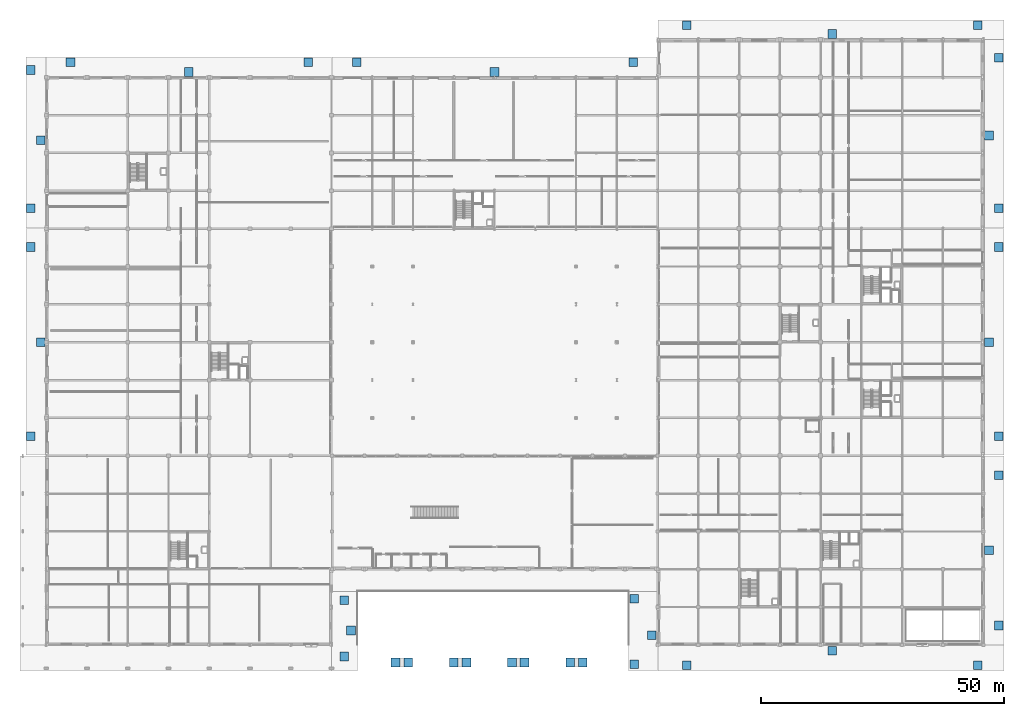
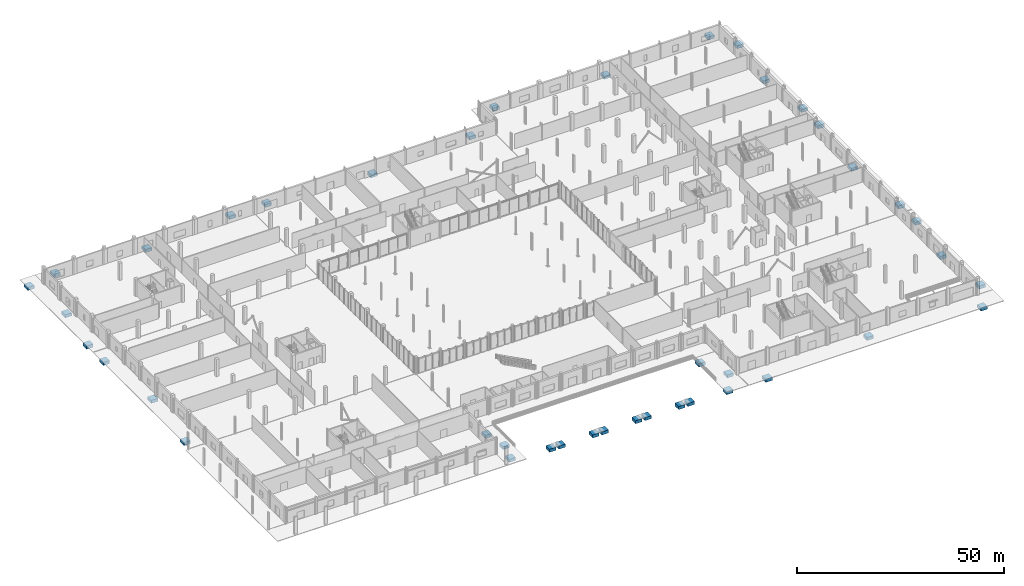
# One storey, part 1 of 80: 41 footings.
"""IFC4 building model written with IfcOpenShell, lengths in metres."""

from ifc_helpers import new_model, si_unit, direction, frame, origin, place, context, subcontext, project, spatial, polyline, outline, extrude, material, type_object, element, save


model = new_model("IFC4")

# Units and contexts
model_context = context("Model", 3, precision=1e-05, world=origin(), true_north=direction((0.0, 1.0)))
body_context = subcontext(model_context, "Body", "Model", "MODEL_VIEW")
ifc_project = project(units=[si_unit("LENGTHUNIT", "METRE"), si_unit("AREAUNIT", "SQUARE_METRE"), si_unit("VOLUMEUNIT", "CUBIC_METRE"), si_unit("PLANEANGLEUNIT", "RADIAN"), si_unit("MASSUNIT", "GRAM", prefix="KILO")], contexts=[model_context])

# Site, building, storey
site_placement = place(None, origin())
site = spatial("IfcSite", under=ifc_project, at=site_placement, CompositionType="ELEMENT")
building_placement = place(site_placement, origin())
building = spatial("IfcBuilding", under=site, at=building_placement, Name="Nabrawat Pavilion Hospital", CompositionType="ELEMENT")
storey_placement = place(building_placement, origin())
storey = spatial("IfcBuildingStorey", under=building, at=storey_placement, Name="L00", CompositionType="ELEMENT", Elevation=0.0)

# Footings
ifc_material = material(Name="Concrete C35/45", Category="concrete")
footing_type = type_object("IfcFootingType", Name="Exterior Colonnade Pad Footing 1800x1800x900", PredefinedType="PAD_FOOTING", material=ifc_material)
footing_1_placement = place(storey_placement, frame((0.0, 0.0, -1.10009765625)))
element("IfcFooting", 1, at=footing_1_placement, inside=storey, type_object=footing_type, Name="L00 Entrance Apron & Threshold Ramp Pad Footing 01", PredefinedType="PAD_FOOTING", context=body_context, shape_type="SweptSolid", body=[
    extrude(outline(polyline([(62.300048828125, -3.300048828125), (62.300048828125, -1.5), (60.5, -1.5), (60.5, -3.300048828125), (62.300048828125, -3.300048828125)])), origin(), (0.0, 0.0, 1.0), 0.900146484375),
])
footing_2_placement = place(storey_placement, frame((0.0, 0.0, -1.10009765625)))
element("IfcFooting", 2, at=footing_2_placement, inside=storey, type_object=footing_type, Name="L00 Entrance Apron & Threshold Ramp Pad Footing 02", PredefinedType="PAD_FOOTING", context=body_context, shape_type="SweptSolid", body=[
    extrude(outline(polyline([(63.699951171875, 2.10009765625), (63.699951171875, 3.89990234375), (61.89990234375, 3.89990234375), (61.89990234375, 2.10009765625), (63.699951171875, 2.10009765625)])), origin(), (0.0, 0.0, 1.0), 0.900146484375),
])
footing_3_placement = place(storey_placement, frame((0.0, 0.0, -1.10009765625)))
element("IfcFooting", 3, at=footing_3_placement, inside=storey, type_object=footing_type, Name="L00 Entrance Apron & Threshold Ramp Pad Footing 03", PredefinedType="PAD_FOOTING", context=body_context, shape_type="SweptSolid", body=[
    extrude(outline(polyline([(62.300048828125, 8.300048828125), (62.300048828125, 10.10009765625), (60.5, 10.10009765625), (60.5, 8.300048828125), (62.300048828125, 8.300048828125)])), origin(), (0.0, 0.0, 1.0), 0.900146484375),
])
footing_4_placement = place(storey_placement, frame((0.0, 0.0, -1.10009765625)))
element("IfcFooting", 4, at=footing_4_placement, inside=storey, type_object=footing_type, Name="L00 Entrance Apron & Threshold Ramp Pad Footing 04", PredefinedType="PAD_FOOTING", context=body_context, shape_type="SweptSolid", body=[
    extrude(outline(polyline([(122.10009765625, -4.89990234375), (122.10009765625, -3.10009765625), (120.300048828125, -3.10009765625), (120.300048828125, -4.89990234375), (122.10009765625, -4.89990234375)])), origin(), (0.0, 0.0, 1.0), 0.900146484375),
])
footing_5_placement = place(storey_placement, frame((0.0, 0.0, -1.10009765625)))
element("IfcFooting", 5, at=footing_5_placement, inside=storey, type_object=footing_type, Name="L00 Entrance Apron & Threshold Ramp Pad Footing 05", PredefinedType="PAD_FOOTING", context=body_context, shape_type="SweptSolid", body=[
    extrude(outline(polyline([(125.699951171875, 1.10009765625), (125.699951171875, 2.89990234375), (123.89990234375, 2.89990234375), (123.89990234375, 1.10009765625), (125.699951171875, 1.10009765625)])), origin(), (0.0, 0.0, 1.0), 0.900146484375),
])
footing_6_placement = place(storey_placement, frame((0.0, 0.0, -1.10009765625)))
element("IfcFooting", 6, at=footing_6_placement, inside=storey, type_object=footing_type, Name="L00 Entrance Apron & Threshold Ramp Pad Footing 06", PredefinedType="PAD_FOOTING", context=body_context, shape_type="SweptSolid", body=[
    extrude(outline(polyline([(122.10009765625, 8.60009765625), (122.10009765625, 10.39990234375), (120.300048828125, 10.39990234375), (120.300048828125, 8.60009765625), (122.10009765625, 8.60009765625)])), origin(), (0.0, 0.0, 1.0), 0.900146484375),
])
footing_7_placement = place(storey_placement, frame((0.0, 0.0, -1.10009765625)))
element("IfcFooting", 7, at=footing_7_placement, inside=storey, type_object=footing_type, Name="L00 Entrance Apron & Threshold Ramp Pad Footing 07", PredefinedType="PAD_FOOTING", context=body_context, shape_type="SweptSolid", body=[
    extrude(outline(polyline([(72.89990234375, -4.5), (72.89990234375, -2.699951171875), (71.10009765625, -2.699951171875), (71.10009765625, -4.5), (72.89990234375, -4.5)])), origin(), (0.0, 0.0, 1.0), 0.900146484375),
])
footing_8_placement = place(storey_placement, frame((0.0, 0.0, -1.10009765625)))
element("IfcFooting", 8, at=footing_8_placement, inside=storey, type_object=footing_type, Name="L00 Entrance Apron & Threshold Ramp Pad Footing 08", PredefinedType="PAD_FOOTING", context=body_context, shape_type="SweptSolid", body=[
    extrude(outline(polyline([(75.5, -4.5), (75.5, -2.699951171875), (73.699951171875, -2.699951171875), (73.699951171875, -4.5), (75.5, -4.5)])), origin(), (0.0, 0.0, 1.0), 0.900146484375),
])
footing_9_placement = place(storey_placement, frame((0.0, 0.0, -1.10009765625)))
element("IfcFooting", 9, at=footing_9_placement, inside=storey, type_object=footing_type, Name="L00 Entrance Apron & Threshold Ramp Pad Footing 09", PredefinedType="PAD_FOOTING", context=body_context, shape_type="SweptSolid", body=[
    extrude(outline(polyline([(84.89990234375, -4.5), (84.89990234375, -2.699951171875), (83.10009765625, -2.699951171875), (83.10009765625, -4.5), (84.89990234375, -4.5)])), origin(), (0.0, 0.0, 1.0), 0.900146484375),
])
footing_10_placement = place(storey_placement, frame((0.0, 0.0, -1.10009765625)))
element("IfcFooting", 10, at=footing_10_placement, inside=storey, type_object=footing_type, Name="L00 Entrance Apron & Threshold Ramp Pad Footing 10", PredefinedType="PAD_FOOTING", context=body_context, shape_type="SweptSolid", body=[
    extrude(outline(polyline([(87.5, -4.5), (87.5, -2.699951171875), (85.699951171875, -2.699951171875), (85.699951171875, -4.5), (87.5, -4.5)])), origin(), (0.0, 0.0, 1.0), 0.900146484375),
])
footing_11_placement = place(storey_placement, frame((0.0, 0.0, -1.10009765625)))
element("IfcFooting", 11, at=footing_11_placement, inside=storey, type_object=footing_type, Name="L00 Entrance Apron & Threshold Ramp Pad Footing 11", PredefinedType="PAD_FOOTING", context=body_context, shape_type="SweptSolid", body=[
    extrude(outline(polyline([(96.89990234375, -4.5), (96.89990234375, -2.699951171875), (95.10009765625, -2.699951171875), (95.10009765625, -4.5), (96.89990234375, -4.5)])), origin(), (0.0, 0.0, 1.0), 0.900146484375),
])
footing_12_placement = place(storey_placement, frame((0.0, 0.0, -1.10009765625)))
element("IfcFooting", 12, at=footing_12_placement, inside=storey, type_object=footing_type, Name="L00 Entrance Apron & Threshold Ramp Pad Footing 12", PredefinedType="PAD_FOOTING", context=body_context, shape_type="SweptSolid", body=[
    extrude(outline(polyline([(99.5, -4.5), (99.5, -2.699951171875), (97.699951171875, -2.699951171875), (97.699951171875, -4.5), (99.5, -4.5)])), origin(), (0.0, 0.0, 1.0), 0.900146484375),
])
footing_13_placement = place(storey_placement, frame((0.0, 0.0, -1.10009765625)))
element("IfcFooting", 13, at=footing_13_placement, inside=storey, type_object=footing_type, Name="L00 Entrance Apron & Threshold Ramp Pad Footing 13", PredefinedType="PAD_FOOTING", context=body_context, shape_type="SweptSolid", body=[
    extrude(outline(polyline([(108.89990234375, -4.5), (108.89990234375, -2.699951171875), (107.10009765625, -2.699951171875), (107.10009765625, -4.5), (108.89990234375, -4.5)])), origin(), (0.0, 0.0, 1.0), 0.900146484375),
])
footing_14_placement = place(storey_placement, frame((0.0, 0.0, -1.10009765625)))
element("IfcFooting", 14, at=footing_14_placement, inside=storey, type_object=footing_type, Name="L00 Entrance Apron & Threshold Ramp Pad Footing 14", PredefinedType="PAD_FOOTING", context=body_context, shape_type="SweptSolid", body=[
    extrude(outline(polyline([(111.5, -4.5), (111.5, -2.699951171875), (109.699951171875, -2.699951171875), (109.699951171875, -4.5), (111.5, -4.5)])), origin(), (0.0, 0.0, 1.0), 0.900146484375),
])
footing_15_placement = place(storey_placement, frame((0.0, 0.0, -1.10009765625)))
element("IfcFooting", 15, at=footing_15_placement, inside=storey, type_object=footing_type, Name="L00 Entrance Apron & Threshold Ramp Pad Footing 15", PredefinedType="PAD_FOOTING", context=body_context, shape_type="SweptSolid", body=[
    extrude(outline(polyline([(132.89990234375, -5.10009765625), (132.89990234375, -3.300048828125), (131.10009765625, -3.300048828125), (131.10009765625, -5.10009765625), (132.89990234375, -5.10009765625)])), origin(), (0.0, 0.0, 1.0), 0.900146484375),
])
footing_16_placement = place(storey_placement, frame((0.0, 0.0, -1.10009765625)))
element("IfcFooting", 16, at=footing_16_placement, inside=storey, type_object=footing_type, Name="L00 Entrance Apron & Threshold Ramp Pad Footing 16", PredefinedType="PAD_FOOTING", context=body_context, shape_type="SweptSolid", body=[
    extrude(outline(polyline([(162.89990234375, -2.10009765625), (162.89990234375, -0.300048828125), (161.10009765625, -0.300048828125), (161.10009765625, -2.10009765625), (162.89990234375, -2.10009765625)])), origin(), (0.0, 0.0, 1.0), 0.900146484375),
])
footing_17_placement = place(storey_placement, frame((0.0, 0.0, -1.10009765625)))
element("IfcFooting", 17, at=footing_17_placement, inside=storey, type_object=footing_type, Name="L00 Entrance Apron & Threshold Ramp Pad Footing 17", PredefinedType="PAD_FOOTING", context=body_context, shape_type="SweptSolid", body=[
    extrude(outline(polyline([(192.89990234375, -5.10009765625), (192.89990234375, -3.300048828125), (191.10009765625, -3.300048828125), (191.10009765625, -5.10009765625), (192.89990234375, -5.10009765625)])), origin(), (0.0, 0.0, 1.0), 0.900146484375),
])
footing_18_placement = place(storey_placement, frame((0.0, 0.0, -1.10009765625)))
element("IfcFooting", 18, at=footing_18_placement, inside=storey, type_object=footing_type, Name="L00 Entrance Apron & Threshold Ramp Pad Footing 18", PredefinedType="PAD_FOOTING", context=body_context, shape_type="SweptSolid", body=[
    extrude(outline(polyline([(-2.300048828125, 42.10009765625), (-2.300048828125, 43.89990234375), (-4.10009765625, 43.89990234375), (-4.10009765625, 42.10009765625), (-2.300048828125, 42.10009765625)])), origin(), (0.0, 0.0, 1.0), 0.900146484375),
])
footing_19_placement = place(storey_placement, frame((0.0, 0.0, -1.10009765625)))
element("IfcFooting", 19, at=footing_19_placement, inside=storey, type_object=footing_type, Name="L00 Entrance Apron & Threshold Ramp Pad Footing 19", PredefinedType="PAD_FOOTING", context=body_context, shape_type="SweptSolid", body=[
    extrude(outline(polyline([(-0.199951171875, 61.5), (-0.199951171875, 63.300048828125), (-2.0, 63.300048828125), (-2.0, 61.5), (-0.199951171875, 61.5)])), origin(), (0.0, 0.0, 1.0), 0.900146484375),
])
footing_20_placement = place(storey_placement, frame((0.0, 0.0, -1.10009765625)))
element("IfcFooting", 20, at=footing_20_placement, inside=storey, type_object=footing_type, Name="L00 Entrance Apron & Threshold Ramp Pad Footing 20", PredefinedType="PAD_FOOTING", context=body_context, shape_type="SweptSolid", body=[
    extrude(outline(polyline([(-2.300048828125, 81.10009765625), (-2.300048828125, 82.89990234375), (-4.10009765625, 82.89990234375), (-4.10009765625, 81.10009765625), (-2.300048828125, 81.10009765625)])), origin(), (0.0, 0.0, 1.0), 0.900146484375),
])
footing_21_placement = place(storey_placement, frame((0.0, 0.0, -1.10009765625)))
element("IfcFooting", 21, at=footing_21_placement, inside=storey, type_object=footing_type, Name="L00 Entrance Apron & Threshold Ramp Pad Footing 21", PredefinedType="PAD_FOOTING", context=body_context, shape_type="SweptSolid", body=[
    extrude(outline(polyline([(-2.300048828125, 89.10009765625), (-2.300048828125, 90.89990234375), (-4.10009765625, 90.89990234375), (-4.10009765625, 89.10009765625), (-2.300048828125, 89.10009765625)])), origin(), (0.0, 0.0, 1.0), 0.900146484375),
])
footing_22_placement = place(storey_placement, frame((0.0, 0.0, -1.10009765625)))
element("IfcFooting", 22, at=footing_22_placement, inside=storey, type_object=footing_type, Name="L00 Entrance Apron & Threshold Ramp Pad Footing 22", PredefinedType="PAD_FOOTING", context=body_context, shape_type="SweptSolid", body=[
    extrude(outline(polyline([(-0.199951171875, 103.10009765625), (-0.199951171875, 104.89990234375), (-2.0, 104.89990234375), (-2.0, 103.10009765625), (-0.199951171875, 103.10009765625)])), origin(), (0.0, 0.0, 1.0), 0.900146484375),
])
footing_23_placement = place(storey_placement, frame((0.0, 0.0, -1.10009765625)))
element("IfcFooting", 23, at=footing_23_placement, inside=storey, type_object=footing_type, Name="L00 Entrance Apron & Threshold Ramp Pad Footing 23", PredefinedType="PAD_FOOTING", context=body_context, shape_type="SweptSolid", body=[
    extrude(outline(polyline([(-2.300048828125, 117.60009765625), (-2.300048828125, 119.39990234375), (-4.10009765625, 119.39990234375), (-4.10009765625, 117.60009765625), (-2.300048828125, 117.60009765625)])), origin(), (0.0, 0.0, 1.0), 0.900146484375),
])
footing_24_placement = place(storey_placement, frame((0.0, 0.0, -1.10009765625)))
element("IfcFooting", 24, at=footing_24_placement, inside=storey, type_object=footing_type, Name="L00 Entrance Apron & Threshold Ramp Pad Footing 24", PredefinedType="PAD_FOOTING", context=body_context, shape_type="SweptSolid", body=[
    extrude(outline(polyline([(5.89990234375, 119.199951171875), (5.89990234375, 121.0), (4.10009765625, 121.0), (4.10009765625, 119.199951171875), (5.89990234375, 119.199951171875)])), origin(), (0.0, 0.0, 1.0), 0.900146484375),
])
footing_25_placement = place(storey_placement, frame((0.0, 0.0, -1.10009765625)))
element("IfcFooting", 25, at=footing_25_placement, inside=storey, type_object=footing_type, Name="L00 Entrance Apron & Threshold Ramp Pad Footing 25", PredefinedType="PAD_FOOTING", context=body_context, shape_type="SweptSolid", body=[
    extrude(outline(polyline([(30.300048828125, 117.199951171875), (30.300048828125, 119.0), (28.5, 119.0), (28.5, 117.199951171875), (30.300048828125, 117.199951171875)])), origin(), (0.0, 0.0, 1.0), 0.900146484375),
])
footing_26_placement = place(storey_placement, frame((0.0, 0.0, -1.10009765625)))
element("IfcFooting", 26, at=footing_26_placement, inside=storey, type_object=footing_type, Name="L00 Entrance Apron & Threshold Ramp Pad Footing 26", PredefinedType="PAD_FOOTING", context=body_context, shape_type="SweptSolid", body=[
    extrude(outline(polyline([(54.89990234375, 119.199951171875), (54.89990234375, 121.0), (53.10009765625, 121.0), (53.10009765625, 119.199951171875), (54.89990234375, 119.199951171875)])), origin(), (0.0, 0.0, 1.0), 0.900146484375),
])
footing_27_placement = place(storey_placement, frame((0.0, 0.0, -1.10009765625)))
element("IfcFooting", 27, at=footing_27_placement, inside=storey, type_object=footing_type, Name="L00 Entrance Apron & Threshold Ramp Pad Footing 27", PredefinedType="PAD_FOOTING", context=body_context, shape_type="SweptSolid", body=[
    extrude(outline(polyline([(64.89990234375, 119.199951171875), (64.89990234375, 121.0), (63.10009765625, 121.0), (63.10009765625, 119.199951171875), (64.89990234375, 119.199951171875)])), origin(), (0.0, 0.0, 1.0), 0.900146484375),
])
footing_28_placement = place(storey_placement, frame((0.0, 0.0, -1.10009765625)))
element("IfcFooting", 28, at=footing_28_placement, inside=storey, type_object=footing_type, Name="L00 Entrance Apron & Threshold Ramp Pad Footing 28", PredefinedType="PAD_FOOTING", context=body_context, shape_type="SweptSolid", body=[
    extrude(outline(polyline([(93.300048828125, 117.199951171875), (93.300048828125, 119.0), (91.5, 119.0), (91.5, 117.199951171875), (93.300048828125, 117.199951171875)])), origin(), (0.0, 0.0, 1.0), 0.900146484375),
])
footing_29_placement = place(storey_placement, frame((0.0, 0.0, -1.10009765625)))
element("IfcFooting", 29, at=footing_29_placement, inside=storey, type_object=footing_type, Name="L00 Entrance Apron & Threshold Ramp Pad Footing 29", PredefinedType="PAD_FOOTING", context=body_context, shape_type="SweptSolid", body=[
    extrude(outline(polyline([(121.89990234375, 119.199951171875), (121.89990234375, 121.0), (120.10009765625, 121.0), (120.10009765625, 119.199951171875), (121.89990234375, 119.199951171875)])), origin(), (0.0, 0.0, 1.0), 0.900146484375),
])
footing_30_placement = place(storey_placement, frame((0.0, 0.0, -1.10009765625)))
element("IfcFooting", 30, at=footing_30_placement, inside=storey, type_object=footing_type, Name="L00 Entrance Apron & Threshold Ramp Pad Footing 30", PredefinedType="PAD_FOOTING", context=body_context, shape_type="SweptSolid", body=[
    extrude(outline(polyline([(132.89990234375, 126.800048828125), (132.89990234375, 128.60009765625), (131.10009765625, 128.60009765625), (131.10009765625, 126.800048828125), (132.89990234375, 126.800048828125)])), origin(), (0.0, 0.0, 1.0), 0.900146484375),
])
footing_31_placement = place(storey_placement, frame((0.0, 0.0, -1.10009765625)))
element("IfcFooting", 31, at=footing_31_placement, inside=storey, type_object=footing_type, Name="L00 Entrance Apron & Threshold Ramp Pad Footing 31", PredefinedType="PAD_FOOTING", context=body_context, shape_type="SweptSolid", body=[
    extrude(outline(polyline([(162.89990234375, 125.0), (162.89990234375, 126.800048828125), (161.10009765625, 126.800048828125), (161.10009765625, 125.0), (162.89990234375, 125.0)])), origin(), (0.0, 0.0, 1.0), 0.900146484375),
])
footing_32_placement = place(storey_placement, frame((0.0, 0.0, -1.10009765625)))
element("IfcFooting", 32, at=footing_32_placement, inside=storey, type_object=footing_type, Name="L00 Entrance Apron & Threshold Ramp Pad Footing 32", PredefinedType="PAD_FOOTING", context=body_context, shape_type="SweptSolid", body=[
    extrude(outline(polyline([(192.89990234375, 126.800048828125), (192.89990234375, 128.60009765625), (191.10009765625, 128.60009765625), (191.10009765625, 126.800048828125), (192.89990234375, 126.800048828125)])), origin(), (0.0, 0.0, 1.0), 0.900146484375),
])
footing_33_placement = place(storey_placement, frame((0.0, 0.0, -1.10009765625)))
element("IfcFooting", 33, at=footing_33_placement, inside=storey, type_object=footing_type, Name="L00 Entrance Apron & Threshold Ramp Pad Footing 33", PredefinedType="PAD_FOOTING", context=body_context, shape_type="SweptSolid", body=[
    extrude(outline(polyline([(197.199951171875, 3.10009765625), (197.199951171875, 4.89990234375), (195.39990234375, 4.89990234375), (195.39990234375, 3.10009765625), (197.199951171875, 3.10009765625)])), origin(), (0.0, 0.0, 1.0), 0.900146484375),
])
footing_34_placement = place(storey_placement, frame((0.0, 0.0, -1.10009765625)))
element("IfcFooting", 34, at=footing_34_placement, inside=storey, type_object=footing_type, Name="L00 Entrance Apron & Threshold Ramp Pad Footing 34", PredefinedType="PAD_FOOTING", context=body_context, shape_type="SweptSolid", body=[
    extrude(outline(polyline([(195.199951171875, 18.60009765625), (195.199951171875, 20.39990234375), (193.39990234375, 20.39990234375), (193.39990234375, 18.60009765625), (195.199951171875, 18.60009765625)])), origin(), (0.0, 0.0, 1.0), 0.900146484375),
])
footing_35_placement = place(storey_placement, frame((0.0, 0.0, -1.10009765625)))
element("IfcFooting", 35, at=footing_35_placement, inside=storey, type_object=footing_type, Name="L00 Entrance Apron & Threshold Ramp Pad Footing 35", PredefinedType="PAD_FOOTING", context=body_context, shape_type="SweptSolid", body=[
    extrude(outline(polyline([(197.199951171875, 34.10009765625), (197.199951171875, 35.89990234375), (195.39990234375, 35.89990234375), (195.39990234375, 34.10009765625), (197.199951171875, 34.10009765625)])), origin(), (0.0, 0.0, 1.0), 0.900146484375),
])
footing_36_placement = place(storey_placement, frame((0.0, 0.0, -1.10009765625)))
element("IfcFooting", 36, at=footing_36_placement, inside=storey, type_object=footing_type, Name="L00 Entrance Apron & Threshold Ramp Pad Footing 36", PredefinedType="PAD_FOOTING", context=body_context, shape_type="SweptSolid", body=[
    extrude(outline(polyline([(197.199951171875, 42.10009765625), (197.199951171875, 43.89990234375), (195.39990234375, 43.89990234375), (195.39990234375, 42.10009765625), (197.199951171875, 42.10009765625)])), origin(), (0.0, 0.0, 1.0), 0.900146484375),
])
footing_37_placement = place(storey_placement, frame((0.0, 0.0, -1.10009765625)))
element("IfcFooting", 37, at=footing_37_placement, inside=storey, type_object=footing_type, Name="L00 Entrance Apron & Threshold Ramp Pad Footing 37", PredefinedType="PAD_FOOTING", context=body_context, shape_type="SweptSolid", body=[
    extrude(outline(polyline([(195.199951171875, 61.5), (195.199951171875, 63.300048828125), (193.39990234375, 63.300048828125), (193.39990234375, 61.5), (195.199951171875, 61.5)])), origin(), (0.0, 0.0, 1.0), 0.900146484375),
])
footing_38_placement = place(storey_placement, frame((0.0, 0.0, -1.10009765625)))
element("IfcFooting", 38, at=footing_38_placement, inside=storey, type_object=footing_type, Name="L00 Entrance Apron & Threshold Ramp Pad Footing 38", PredefinedType="PAD_FOOTING", context=body_context, shape_type="SweptSolid", body=[
    extrude(outline(polyline([(197.199951171875, 81.10009765625), (197.199951171875, 82.89990234375), (195.39990234375, 82.89990234375), (195.39990234375, 81.10009765625), (197.199951171875, 81.10009765625)])), origin(), (0.0, 0.0, 1.0), 0.900146484375),
])
footing_39_placement = place(storey_placement, frame((0.0, 0.0, -1.10009765625)))
element("IfcFooting", 39, at=footing_39_placement, inside=storey, type_object=footing_type, Name="L00 Entrance Apron & Threshold Ramp Pad Footing 39", PredefinedType="PAD_FOOTING", context=body_context, shape_type="SweptSolid", body=[
    extrude(outline(polyline([(197.199951171875, 89.10009765625), (197.199951171875, 90.89990234375), (195.39990234375, 90.89990234375), (195.39990234375, 89.10009765625), (197.199951171875, 89.10009765625)])), origin(), (0.0, 0.0, 1.0), 0.900146484375),
])
footing_40_placement = place(storey_placement, frame((0.0, 0.0, -1.10009765625)))
element("IfcFooting", 40, at=footing_40_placement, inside=storey, type_object=footing_type, Name="L00 Entrance Apron & Threshold Ramp Pad Footing 40", PredefinedType="PAD_FOOTING", context=body_context, shape_type="SweptSolid", body=[
    extrude(outline(polyline([(195.199951171875, 104.10009765625), (195.199951171875, 105.89990234375), (193.39990234375, 105.89990234375), (193.39990234375, 104.10009765625), (195.199951171875, 104.10009765625)])), origin(), (0.0, 0.0, 1.0), 0.900146484375),
])
footing_41_placement = place(storey_placement, frame((0.0, 0.0, -1.10009765625)))
element("IfcFooting", 41, at=footing_41_placement, inside=storey, type_object=footing_type, Name="L00 Entrance Apron & Threshold Ramp Pad Footing 41", PredefinedType="PAD_FOOTING", context=body_context, shape_type="SweptSolid", body=[
    extrude(outline(polyline([(197.199951171875, 120.10009765625), (197.199951171875, 121.89990234375), (195.39990234375, 121.89990234375), (195.39990234375, 120.10009765625), (197.199951171875, 120.10009765625)])), origin(), (0.0, 0.0, 1.0), 0.900146484375),
])

save(model, "model.ifc")
